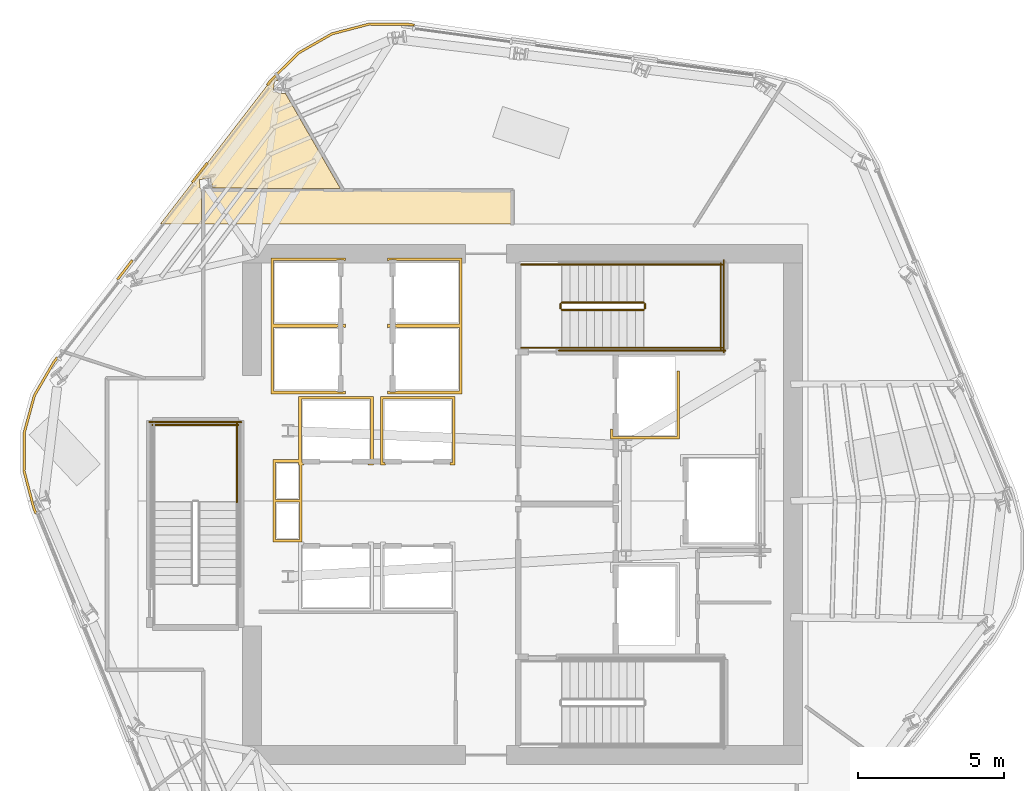
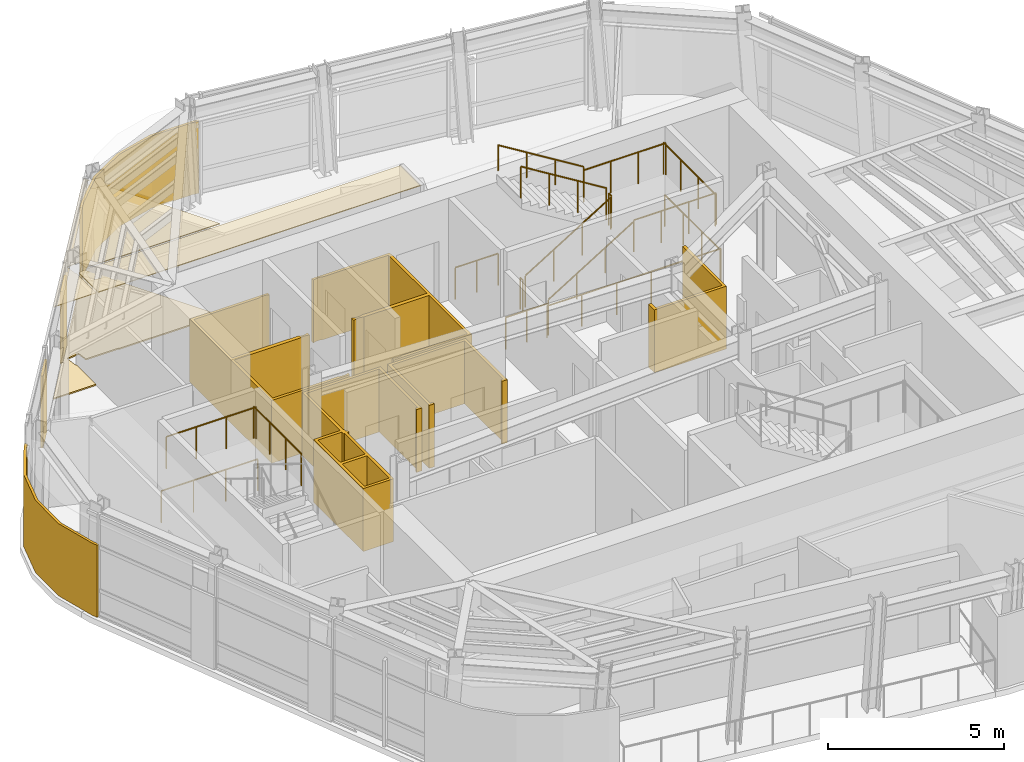
# One storey, part 10 of 12: 16 railings, 12 coverings.
"""IFC4 building model written with IfcOpenShell, lengths in metres."""

from ifc_helpers import new_model, si_unit, direction, frame, origin, origin_2d, place, context, subcontext, project, spatial, polyline, circle, outline, extrude, material, layer, layer_set, type_object, element, save


model = new_model("IFC4")

# Units and contexts
model_context = context("Model", 3, precision=1e-05, world=origin(), true_north=direction((0.0, 1.0)))
body_context = subcontext(model_context, "Body", "Model", "MODEL_VIEW")
ifc_project = project(units=[si_unit("LENGTHUNIT", "METRE"), si_unit("AREAUNIT", "SQUARE_METRE"), si_unit("VOLUMEUNIT", "CUBIC_METRE"), si_unit("PLANEANGLEUNIT", "RADIAN"), si_unit("MASSUNIT", "GRAM", prefix="KILO")], contexts=[model_context])

# Site, building, storey
site_placement = place(None, origin())
site = spatial("IfcSite", under=ifc_project, at=site_placement, CompositionType="ELEMENT")
building_placement = place(site_placement, origin())
building = spatial("IfcBuilding", under=site, at=building_placement, Name="Valkerne Bourse Tower", CompositionType="ELEMENT")
storey_placement = place(building_placement, frame((0.0, 0.0, 247.39990234375)))
storey = spatial("IfcBuildingStorey", under=building, at=storey_placement, Name="L63", CompositionType="ELEMENT", Elevation=247.39990234375)

# Coverings
ifc_material_1 = material(Name="Mineral Fiber Acoustic Ceiling Tile", Category="acoustic")
ifc_layer_1 = layer(ifc_material_1, 0.02490234375)
ifc_layer_set_1 = layer_set([ifc_layer_1], Name="Mineral Fiber Acoustic Ceiling Tile")
covering_type_1 = type_object("IfcCoveringType", Name="COV-CEIL-ACT", PredefinedType="CEILING", material=ifc_layer_set_1)
covering_1_placement = place(storey_placement, frame((0.0, 0.0, 3.190185546875)))
element("IfcCovering", 1, at=covering_1_placement, inside=storey, type_object=covering_type_1, Name="L63 Suspended Ceiling 07", PredefinedType="CEILING", context=body_context, shape_type="SweptSolid", body=[
    extrude(outline(polyline([(38.408203125, 41.416748046875), (38.299072265625, 41.431884765625), (38.296875, 41.4306640625), (38.24169921875, 41.020263671875), (38.6494140625, 40.964599609375), (38.6513671875, 40.9658203125), (38.654541015625, 40.990234375), (40.549072265625, 37.708984375), (37.248046875, 37.708984375), (37.22900390625, 37.72265625), (37.200439453125, 37.72900390625), (36.158203125, 37.72900390625), (36.11669921875, 38.067138671875), (35.708251953125, 38.017578125), (35.70654296875, 38.01611328125), (35.757080078125, 37.605224609375), (35.781005859375, 37.608154296875), (35.781005859375, 36.5), (34.378662109375, 36.5), (38.173828125, 41.426513671875), (38.319580078125, 41.570556640625), (38.408203125, 41.416748046875)])), origin(), (0.0, 0.0, 1.0), 0.02490234375),
])
ifc_material_2 = material(Name="Bronze Anodised Aluminium AA 6063-T6", Category="aluminium")
ifc_layer_2 = layer(ifc_material_2, 0.030029296875)
ifc_layer_set_2 = layer_set([ifc_layer_2], Name="Bronze Anodised Aluminium AA 6063-T6")
covering_type_2 = type_object("IfcCoveringType", Name="COV-CEIL-METAL", PredefinedType="CEILING", material=ifc_layer_set_2)
covering_2_placement = place(storey_placement, frame((0.0, 0.0, 3.190185546875)))
element("IfcCovering", 2, at=covering_2_placement, inside=storey, type_object=covering_type_2, Name="L63 Suspended Ceiling 03", PredefinedType="CEILING", context=body_context, shape_type="SweptSolid", body=[
    extrude(outline(polyline([(35.85400390625, 37.616943359375), (36.16552734375, 37.65478515625), (36.1669921875, 37.656005859375), (37.196044921875, 37.656005859375), (37.196044921875, 37.635986328125), (46.446044921875, 37.635986328125), (46.446044921875, 36.5), (35.85400390625, 36.5), (35.85400390625, 37.616943359375)])), origin(), (0.0, 0.0, 1.0), 0.02490234375),
])
ifc_layer_3 = layer(ifc_material_2, 0.06005859375)
ifc_layer_set_3 = layer_set([ifc_layer_3], Name="Bronze Anodised Aluminium AA 6063-T6")
covering_type_3 = type_object("IfcCoveringType", Name="COV-CRN-ALUM", PredefinedType="CLADDING", material=ifc_layer_set_3)
covering_3_placement = place(storey_placement, origin())
element("IfcCovering", 3, at=covering_3_placement, inside=storey, type_object=covering_type_3, Name="L63 Wind-Shaped Corner Aluminium Cladding 04", PredefinedType="CLADDING", context=body_context, shape_type="SweptSolid", body=[
    extrude(outline(polyline([(29.997802734375, 26.721923828125), (29.658447265625, 28.01611328125), (29.665283203125, 29.34716796875), (30.0166015625, 30.631103515625), (30.691650390625, 31.7861328125), (30.8095703125, 31.939208984375), (30.872802734375, 31.89013671875), (30.758056640625, 31.741455078125), (30.091064453125, 30.599853515625), (29.745361328125, 29.336181640625), (29.73828125, 28.026123046875), (30.073974609375, 26.747314453125), (30.144287109375, 26.5732421875), (30.0703125, 26.54296875), (29.997802734375, 26.721923828125)])), origin(), (0.0, 0.0, 1.0), 2.5),
])
covering_4_placement = place(storey_placement, origin())
element("IfcCovering", 4, at=covering_4_placement, inside=storey, type_object=covering_type_3, Name="L63 Wind-Shaped Corner Aluminium Cladding 05", PredefinedType="CLADDING", context=body_context, shape_type="SweptSolid", body=[
    extrude(outline(polyline([(33.380126953125, 35.27587890625), (33.443359375, 35.226806640625), (32.9306640625, 34.561279296875), (32.867431640625, 34.610595703125), (33.380126953125, 35.27587890625)])), origin(), (0.0, 0.0, 1.0), 2.5),
])
covering_5_placement = place(storey_placement, origin())
element("IfcCovering", 5, at=covering_5_placement, inside=storey, type_object=covering_type_3, Name="L63 Wind-Shaped Corner Aluminium Cladding 06", PredefinedType="CLADDING", context=body_context, shape_type="SweptSolid", body=[
    extrude(outline(polyline([(35.95068359375, 38.612548828125), (36.013916015625, 38.563720703125), (35.501220703125, 37.898193359375), (35.43798828125, 37.947021484375), (35.95068359375, 38.612548828125)])), origin(), (0.0, 0.0, 1.0), 2.5),
])
covering_6_placement = place(storey_placement, origin())
element("IfcCovering", 6, at=covering_6_placement, inside=storey, type_object=covering_type_3, Name="L63 Wind-Shaped Corner Aluminium Cladding 07", PredefinedType="CLADDING", context=body_context, shape_type="SweptSolid", body=[
    extrude(outline(polyline([(38.140625, 41.45556640625), (39.091552734375, 42.396484375), (40.247802734375, 43.055908203125), (41.53515625, 43.3935546875), (42.872802734375, 43.38671875), (43.087646484375, 43.3564453125), (43.07666015625, 43.277099609375), (42.8671875, 43.306640625), (41.54541015625, 43.313720703125), (40.2783203125, 42.981201171875), (39.140380859375, 42.33203125), (38.20068359375, 41.402587890625), (38.071533203125, 41.234619140625), (38.00830078125, 41.28369140625), (38.140625, 41.45556640625)])), origin(), (0.0, 0.0, 1.0), 2.5),
])
ifc_material_3 = material(Name="Galvanised Painted Steel", Category="steel")
ifc_layer_4 = layer(ifc_material_3, 0.044921875)
ifc_layer_set_4 = layer_set([ifc_layer_4], Name="Galvanised Painted Steel")
covering_type_4 = type_object("IfcCoveringType", Name="COV-FLR-RAF", PredefinedType="FLOORING", material=ifc_layer_set_4)
covering_7_placement = place(storey_placement, origin())
element("IfcCovering", 7, at=covering_7_placement, inside=storey, type_object=covering_type_4, Name="L63 Floor Finish 07", PredefinedType="FLOORING", context=body_context, shape_type="SweptSolid", body=[
    extrude(outline(polyline([(38.408203125, 41.416748046875), (38.299072265625, 41.431884765625), (38.296875, 41.4306640625), (38.24169921875, 41.020263671875), (38.6494140625, 40.964599609375), (38.6513671875, 40.9658203125), (38.654541015625, 40.990234375), (40.549072265625, 37.708984375), (37.248046875, 37.708984375), (37.22900390625, 37.72265625), (37.200439453125, 37.72900390625), (36.158203125, 37.72900390625), (36.11669921875, 38.067138671875), (35.708251953125, 38.017578125), (35.70654296875, 38.01611328125), (35.757080078125, 37.605224609375), (35.781005859375, 37.608154296875), (35.781005859375, 36.5), (34.378662109375, 36.5), (38.173828125, 41.426513671875), (38.319580078125, 41.570556640625), (38.408203125, 41.416748046875)])), origin(), (0.0, 0.0, 1.0), 0.045166015625),
])
ifc_material_4 = material(Name="Gypsum Shaftwall Liner Board", Category="gypsum")
ifc_layer_5 = layer(ifc_material_4, 0.080078125)
ifc_layer_set_5 = layer_set([ifc_layer_5], Name="Gypsum Shaftwall Liner Board")
covering_type_5 = type_object("IfcCoveringType", Name="COV-SHF-CLAD", PredefinedType="CLADDING", material=ifc_layer_set_5)
covering_8_placement = place(storey_placement, origin())
element("IfcCovering", 8, at=covering_8_placement, inside=storey, type_object=covering_type_5, Name="L63 Hoistway & Riser Shaftwall Liner 03", PredefinedType="CLADDING", context=body_context, shape_type="SweptSolid", body=[
    extrude(outline(polyline([(38.239990234375, 28.409912109375), (39.1201171875, 28.409912109375), (39.1201171875, 30.580078125), (41.679931640625, 30.580078125), (41.679931640625, 28.219970703125), (41.500732421875, 28.219970703125), (41.511474609375, 28.26220703125), (41.517822265625, 28.305908203125), (41.51806640625, 28.31005859375), (41.590087890625, 28.31005859375), (41.590087890625, 30.489990234375), (39.2099609375, 30.489990234375), (39.2099609375, 28.409912109375), (39.239990234375, 28.409912109375), (39.239990234375, 28.31005859375), (39.281982421875, 28.31005859375), (39.2822265625, 28.305908203125), (39.28857421875, 28.26220703125), (39.29931640625, 28.219970703125), (39.239990234375, 28.219970703125), (39.239990234375, 27.0400390625), (39.239990234375, 26.9599609375), (39.239990234375, 25.590087890625), (38.239990234375, 25.590087890625), (38.239990234375, 26.9599609375), (38.239990234375, 27.0400390625), (38.239990234375, 28.409912109375)]), holes=[polyline([(38.330078125, 26.949951171875), (38.330078125, 25.679931640625), (39.14990234375, 25.679931640625), (39.14990234375, 26.949951171875), (38.330078125, 26.949951171875)]), polyline([(38.330078125, 27.050048828125), (39.14990234375, 27.050048828125), (39.14990234375, 28.219970703125), (39.1201171875, 28.219970703125), (39.1201171875, 28.320068359375), (38.330078125, 28.320068359375), (38.330078125, 27.050048828125)])]), origin(), (0.0, 0.0, 1.0), 2.18017578125),
])
covering_9_placement = place(storey_placement, origin())
element("IfcCovering", 9, at=covering_9_placement, inside=storey, type_object=covering_type_5, Name="L63 Hoistway & Riser Shaftwall Liner 04", PredefinedType="CLADDING", context=body_context, shape_type="SweptSolid", body=[
    extrude(outline(polyline([(38.169921875, 35.330078125), (40.72998046875, 35.330078125), (40.72998046875, 35.232177734375), (40.72216796875, 35.235595703125), (40.6806640625, 35.25048828125), (40.6376953125, 35.261474609375), (40.593994140625, 35.267822265625), (40.550048828125, 35.27001953125), (40.505859375, 35.267822265625), (40.462158203125, 35.261474609375), (40.41943359375, 35.25048828125), (40.3896484375, 35.239990234375), (38.260009765625, 35.239990234375), (38.260009765625, 33.06005859375), (40.3896484375, 33.06005859375), (40.41943359375, 33.04931640625), (40.462158203125, 33.03857421875), (40.505859375, 33.0322265625), (40.550048828125, 33.030029296875), (40.593994140625, 33.0322265625), (40.6376953125, 33.03857421875), (40.6806640625, 33.04931640625), (40.72216796875, 33.064208984375), (40.72998046875, 33.06787109375), (40.72998046875, 33.030029296875), (40.72998046875, 32.969970703125), (40.72998046875, 32.93212890625), (40.72216796875, 32.935791015625), (40.6806640625, 32.95068359375), (40.6376953125, 32.96142578125), (40.593994140625, 32.9677734375), (40.550048828125, 32.969970703125), (40.505859375, 32.9677734375), (40.462158203125, 32.96142578125), (40.41943359375, 32.95068359375), (40.3896484375, 32.93994140625), (38.260009765625, 32.93994140625), (38.260009765625, 30.760009765625), (40.3896484375, 30.760009765625), (40.41943359375, 30.74951171875), (40.462158203125, 30.738525390625), (40.505859375, 30.732177734375), (40.550048828125, 30.72998046875), (40.593994140625, 30.732177734375), (40.6376953125, 30.738525390625), (40.6806640625, 30.74951171875), (40.72216796875, 30.764404296875), (40.72998046875, 30.767822265625), (40.72998046875, 30.669921875), (38.169921875, 30.669921875), (38.169921875, 32.969970703125), (38.169921875, 33.030029296875), (38.169921875, 35.330078125)])), origin(), (0.0, 0.0, 1.0), 2.18017578125),
])
covering_10_placement = place(storey_placement, origin())
element("IfcCovering", 10, at=covering_10_placement, inside=storey, type_object=covering_type_5, Name="L63 Hoistway & Riser Shaftwall Liner 07", PredefinedType="CLADDING", context=body_context, shape_type="SweptSolid", body=[
    extrude(outline(polyline([(44.47998046875, 28.219970703125), (44.30078125, 28.219970703125), (44.311279296875, 28.26220703125), (44.31787109375, 28.305908203125), (44.318115234375, 28.31005859375), (44.389892578125, 28.31005859375), (44.389892578125, 30.489990234375), (42.010009765625, 30.489990234375), (42.010009765625, 28.31005859375), (42.08203125, 28.31005859375), (42.082275390625, 28.305908203125), (42.088623046875, 28.26220703125), (42.09912109375, 28.219970703125), (41.919921875, 28.219970703125), (41.919921875, 30.580078125), (44.47998046875, 30.580078125), (44.47998046875, 28.219970703125)])), origin(), (0.0, 0.0, 1.0), 2.18017578125),
])
covering_11_placement = place(storey_placement, origin())
element("IfcCovering", 11, at=covering_11_placement, inside=storey, type_object=covering_type_5, Name="L63 Hoistway & Riser Shaftwall Liner 08", PredefinedType="CLADDING", context=body_context, shape_type="SweptSolid", body=[
    extrude(outline(polyline([(49.820068359375, 29.1201171875), (49.820068359375, 29.468017578125), (49.827880859375, 29.46435546875), (49.869384765625, 29.449462890625), (49.909912109375, 29.439208984375), (49.909912109375, 29.2099609375), (52.090087890625, 29.2099609375), (52.090087890625, 31.449951171875), (52.179931640625, 31.449951171875), (52.179931640625, 29.1201171875), (49.820068359375, 29.1201171875)])), origin(), (0.0, 0.0, 1.0), 2.18017578125),
])
covering_12_placement = place(storey_placement, origin())
element("IfcCovering", 12, at=covering_12_placement, inside=storey, type_object=covering_type_5, Name="L63 Hoistway & Riser Shaftwall Liner 09", PredefinedType="CLADDING", context=body_context, shape_type="SweptSolid", body=[
    extrude(outline(polyline([(42.169921875, 33.06787109375), (42.177734375, 33.064208984375), (42.219482421875, 33.04931640625), (42.26220703125, 33.03857421875), (42.305908203125, 33.0322265625), (42.35009765625, 33.030029296875), (42.39404296875, 33.0322265625), (42.437744140625, 33.03857421875), (42.480712890625, 33.04931640625), (42.51025390625, 33.06005859375), (44.639892578125, 33.06005859375), (44.639892578125, 35.239990234375), (42.51025390625, 35.239990234375), (42.480712890625, 35.25048828125), (42.437744140625, 35.261474609375), (42.39404296875, 35.267822265625), (42.35009765625, 35.27001953125), (42.305908203125, 35.267822265625), (42.26220703125, 35.261474609375), (42.219482421875, 35.25048828125), (42.177734375, 35.235595703125), (42.169921875, 35.232177734375), (42.169921875, 35.330078125), (44.72998046875, 35.330078125), (44.72998046875, 33.030029296875), (44.72998046875, 32.969970703125), (44.72998046875, 30.669921875), (42.169921875, 30.669921875), (42.169921875, 30.767822265625), (42.177734375, 30.764404296875), (42.219482421875, 30.74951171875), (42.26220703125, 30.738525390625), (42.305908203125, 30.732177734375), (42.35009765625, 30.72998046875), (42.39404296875, 30.732177734375), (42.437744140625, 30.738525390625), (42.480712890625, 30.74951171875), (42.51025390625, 30.760009765625), (44.639892578125, 30.760009765625), (44.639892578125, 32.93994140625), (42.51025390625, 32.93994140625), (42.480712890625, 32.95068359375), (42.437744140625, 32.96142578125), (42.39404296875, 32.9677734375), (42.35009765625, 32.969970703125), (42.305908203125, 32.9677734375), (42.26220703125, 32.96142578125), (42.219482421875, 32.95068359375), (42.177734375, 32.935791015625), (42.169921875, 32.93212890625), (42.169921875, 32.969970703125), (42.169921875, 33.030029296875), (42.169921875, 33.06787109375)])), origin(), (0.0, 0.0, 1.0), 2.18017578125),
])

# Railings
railing_type_1 = type_object("IfcRailingType", Name="RLG-ST-GUARD-1120", PredefinedType="GUARDRAIL", material=ifc_material_3)
railing_1_placement = place(storey_placement, frame((48.14990234375, 33.550048828125, 0.1728515625)))
element("IfcRailing", 13, at=railing_1_placement, inside=storey, type_object=railing_type_1, Name="L63 ST-2 stair guard 1", PredefinedType="GUARDRAIL", context=body_context, shape_type="SweptSolid", body=[
    extrude(circle(Radius=0.02392578125, at=origin_2d()), frame((0.0, 0.0, 1.09619140625), z_axis=(0.851089632645, 0.0, 0.525020415988), x_axis=(0.0, 1.0, 0.0)), (0.0, 0.0, 1.0), 3.2900390625),
    extrude(circle(Radius=0.02099609375, at=origin_2d()), origin(), (0.0, 0.0, 1.0), 1.072021484375),
    extrude(circle(Radius=0.02099609375, at=origin_2d()), frame((0.933349609375, 0.0, 0.57568359375)), (0.0, 0.0, 1.0), 1.072021484375),
    extrude(circle(Radius=0.02099609375, at=origin_2d()), frame((1.86669921875, 0.0, 1.151611328125)), (0.0, 0.0, 1.0), 1.072021484375),
    extrude(circle(Radius=0.02099609375, at=origin_2d()), frame((2.800048828125, 0.0, 1.727294921875)), (0.0, 0.0, 1.0), 1.072021484375),
])
railing_2_placement = place(storey_placement, frame((51.0, 33.60009765625, 1.900146484375)))
element("IfcRailing", 14, at=railing_2_placement, inside=storey, type_object=railing_type_1, Name="L63 ST-2 stair guard 2", PredefinedType="GUARDRAIL", context=body_context, shape_type="SweptSolid", body=[
    extrude(circle(Radius=0.02392578125, at=origin_2d()), frame((0.0, 0.0, 1.09619140625), z_axis=(0.0, 1.0, 0.0), x_axis=(-1.0, 0.0, 0.0)), (0.0, 0.0, 1.0), 0.14990234375),
    extrude(circle(Radius=0.02099609375, at=origin_2d()), origin(), (0.0, 0.0, 1.0), 1.072021484375),
    extrude(circle(Radius=0.02099609375, at=origin_2d()), frame((0.0, 0.14990234375, 0.0)), (0.0, 0.0, 1.0), 1.072021484375),
])
for number, where, name in (
    (15, (50.949951171875, 32.25, 1.900146484375), "L63 ST-2 stair guard 3"),
    (16, (50.949951171875, 35.10009765625, 1.900146484375), "L63 ST-2 stair guard 4"),
):
    element("IfcRailing", number, at=place(storey_placement, frame(where)), inside=storey, type_object=railing_type_1, Name=name, PredefinedType="GUARDRAIL", context=body_context, shape_type="SweptSolid", body=[
        extrude(circle(Radius=0.02392578125, at=origin_2d()), frame((0.0, 0.0, 1.09619140625), z_axis=(1.0, 0.0, 0.0), x_axis=(0.0, 1.0, 0.0)), (0.0, 0.0, 1.0), 2.699951171875),
        extrude(circle(Radius=0.02099609375, at=origin_2d()), origin(), (0.0, 0.0, 1.0), 1.072021484375),
        extrude(circle(Radius=0.02099609375, at=origin_2d()), frame((0.89990234375, 0.0, 0.0)), (0.0, 0.0, 1.0), 1.072021484375),
        extrude(circle(Radius=0.02099609375, at=origin_2d()), frame((1.800048828125, 0.0, 0.0)), (0.0, 0.0, 1.0), 1.072021484375),
        extrude(circle(Radius=0.02099609375, at=origin_2d()), frame((2.699951171875, 0.0, 0.0)), (0.0, 0.0, 1.0), 1.072021484375),
    ])
railing_3_placement = place(storey_placement, frame((53.60009765625, 32.199951171875, 1.900146484375)))
element("IfcRailing", 17, at=railing_3_placement, inside=storey, type_object=railing_type_1, Name="L63 ST-2 stair guard 5", PredefinedType="GUARDRAIL", context=body_context, shape_type="SweptSolid", body=[
    extrude(circle(Radius=0.02392578125, at=origin_2d()), frame((0.0, 0.0, 1.09619140625), z_axis=(0.0, 1.0, 0.0), x_axis=(-1.0, 0.0, 0.0)), (0.0, 0.0, 1.0), 2.949951171875),
    extrude(circle(Radius=0.02099609375, at=origin_2d()), origin(), (0.0, 0.0, 1.0), 1.072021484375),
    extrude(circle(Radius=0.02099609375, at=origin_2d()), frame((0.0, 0.9833984375, 0.0)), (0.0, 0.0, 1.0), 1.072021484375),
    extrude(circle(Radius=0.02099609375, at=origin_2d()), frame((0.0, 1.966552734375, 0.0)), (0.0, 0.0, 1.0), 1.072021484375),
    extrude(circle(Radius=0.02099609375, at=origin_2d()), frame((0.0, 2.949951171875, 0.0)), (0.0, 0.0, 1.0), 1.072021484375),
])
railing_4_placement = place(storey_placement, frame((50.949951171875, 33.800048828125, 2.07275390625)))
element("IfcRailing", 18, at=railing_4_placement, inside=storey, type_object=railing_type_1, Name="L63 ST-2 stair guard 6", PredefinedType="GUARDRAIL", context=body_context, shape_type="SweptSolid", body=[
    extrude(circle(Radius=0.02392578125, at=origin_2d()), frame((0.0, 0.0, 1.09619140625), z_axis=(-0.851089632645, 0.0, 0.525020415988), x_axis=(0.0, -1.0, 0.0)), (0.0, 0.0, 1.0), 3.2900390625),
    extrude(circle(Radius=0.02099609375, at=origin_2d()), origin(), (0.0, 0.0, 1.0), 1.072021484375),
    extrude(circle(Radius=0.02099609375, at=origin_2d()), frame((-0.933349609375, 0.0, 0.57568359375)), (0.0, 0.0, 1.0), 1.072021484375),
    extrude(circle(Radius=0.02099609375, at=origin_2d()), frame((-1.86669921875, 0.0, 1.151611328125)), (0.0, 0.0, 1.0), 1.072021484375),
    extrude(circle(Radius=0.02099609375, at=origin_2d()), frame((-2.800048828125, 0.0, 1.727294921875)), (0.0, 0.0, 1.0), 1.072021484375),
])
railing_5_placement = place(storey_placement, frame((48.10009765625, 33.60009765625, 0.0)))
element("IfcRailing", 19, at=railing_5_placement, inside=storey, type_object=railing_type_1, Name="L63 ST-2 stair guard 7", PredefinedType="GUARDRAIL", context=body_context, shape_type="SweptSolid", body=[
    extrude(circle(Radius=0.02392578125, at=origin_2d()), frame((0.0, 0.0, 1.09619140625), z_axis=(0.0, 1.0, 0.0), x_axis=(-1.0, 0.0, 0.0)), (0.0, 0.0, 1.0), 0.14990234375),
    extrude(circle(Radius=0.02099609375, at=origin_2d()), origin(), (0.0, 0.0, 1.0), 1.072021484375),
    extrude(circle(Radius=0.02099609375, at=origin_2d()), frame((0.0, 0.14990234375, 0.0)), (0.0, 0.0, 1.0), 1.072021484375),
])
for number, where, name in (
    (20, (46.75, 32.25, 0.0), "L63 ST-2 stair guard 8"),
    (21, (46.75, 35.10009765625, 0.0), "L63 ST-2 stair guard 9"),
):
    element("IfcRailing", number, at=place(storey_placement, frame(where)), inside=storey, type_object=railing_type_1, Name=name, PredefinedType="GUARDRAIL", context=body_context, shape_type="SweptSolid", body=[
        extrude(circle(Radius=0.02392578125, at=origin_2d()), frame((0.0, 0.0, 1.09619140625), z_axis=(1.0, 0.0, 0.0), x_axis=(0.0, 1.0, 0.0)), (0.0, 0.0, 1.0), 1.39990234375),
        extrude(circle(Radius=0.02099609375, at=origin_2d()), origin(), (0.0, 0.0, 1.0), 1.072021484375),
        extrude(circle(Radius=0.02099609375, at=origin_2d()), frame((0.699951171875, 0.0, 0.0)), (0.0, 0.0, 1.0), 1.072021484375),
        extrude(circle(Radius=0.02099609375, at=origin_2d()), frame((1.39990234375, 0.0, 0.0)), (0.0, 0.0, 1.0), 1.072021484375),
    ])
railing_6_placement = place(storey_placement, frame((48.050048828125, 32.14990234375, 0.0)))
element("IfcRailing", 22, at=railing_6_placement, inside=storey, type_object=railing_type_1, Name="L63 ST-2 stair guard 10", PredefinedType="GUARDRAIL", context=body_context, shape_type="SweptSolid", body=[
    extrude(circle(Radius=0.02392578125, at=origin_2d()), frame((0.0, 0.0, 1.09619140625), z_axis=(1.0, 0.0, 0.0), x_axis=(0.0, 1.0, 0.0)), (0.0, 0.0, 1.0), 5.699951171875),
    extrude(circle(Radius=0.02099609375, at=origin_2d()), origin(), (0.0, 0.0, 1.0), 1.072021484375),
    extrude(circle(Radius=0.02099609375, at=origin_2d()), frame((1.139892578125, 0.0, 0.0)), (0.0, 0.0, 1.0), 1.072021484375),
    extrude(circle(Radius=0.02099609375, at=origin_2d()), frame((2.280029296875, 0.0, 0.0)), (0.0, 0.0, 1.0), 1.072021484375),
    extrude(circle(Radius=0.02099609375, at=origin_2d()), frame((3.419921875, 0.0, 0.0)), (0.0, 0.0, 1.0), 1.072021484375),
    extrude(circle(Radius=0.02099609375, at=origin_2d()), frame((4.56005859375, 0.0, 0.0)), (0.0, 0.0, 1.0), 1.072021484375),
    extrude(circle(Radius=0.02099609375, at=origin_2d()), frame((5.699951171875, 0.0, 0.0)), (0.0, 0.0, 1.0), 1.072021484375),
])
railing_7_placement = place(storey_placement, frame((53.699951171875, 32.10009765625, 0.0)))
element("IfcRailing", 23, at=railing_7_placement, inside=storey, type_object=railing_type_1, Name="L63 ST-2 stair guard 12", PredefinedType="GUARDRAIL", context=body_context, shape_type="SweptSolid", body=[
    extrude(circle(Radius=0.02392578125, at=origin_2d()), frame((0.0, 0.0, 1.09619140625), z_axis=(0.0, 1.0, 0.0), x_axis=(-1.0, 0.0, 0.0)), (0.0, 0.0, 1.0), 3.14990234375),
    extrude(circle(Radius=0.02099609375, at=origin_2d()), origin(), (0.0, 0.0, 1.0), 1.072021484375),
    extrude(circle(Radius=0.02099609375, at=origin_2d()), frame((0.0, 1.050048828125, 0.0)), (0.0, 0.0, 1.0), 1.072021484375),
    extrude(circle(Radius=0.02099609375, at=origin_2d()), frame((0.0, 2.099853515625, 0.0)), (0.0, 0.0, 1.0), 1.072021484375),
    extrude(circle(Radius=0.02099609375, at=origin_2d()), frame((0.0, 3.14990234375, 0.0)), (0.0, 0.0, 1.0), 1.072021484375),
])
railing_8_placement = place(storey_placement, frame((37.0, 26.949951171875, 1.900146484375)))
element("IfcRailing", 24, at=railing_8_placement, inside=storey, type_object=railing_type_1, Name="L63 ST-3 stair guard 3", PredefinedType="GUARDRAIL", context=body_context, shape_type="SweptSolid", body=[
    extrude(circle(Radius=0.02392578125, at=origin_2d()), frame((0.0, 0.0, 1.09619140625), z_axis=(0.0, 1.0, 0.0), x_axis=(-1.0, 0.0, 0.0)), (0.0, 0.0, 1.0), 2.699951171875),
    extrude(circle(Radius=0.02099609375, at=origin_2d()), origin(), (0.0, 0.0, 1.0), 1.072021484375),
    extrude(circle(Radius=0.02099609375, at=origin_2d()), frame((0.0, 0.89990234375, 0.0)), (0.0, 0.0, 1.0), 1.072021484375),
    extrude(circle(Radius=0.02099609375, at=origin_2d()), frame((0.0, 1.800048828125, 0.0)), (0.0, 0.0, 1.0), 1.072021484375),
    extrude(circle(Radius=0.02099609375, at=origin_2d()), frame((0.0, 2.699951171875, 0.0)), (0.0, 0.0, 1.0), 1.072021484375),
])
railing_9_placement = place(storey_placement, frame((37.050048828125, 29.60009765625, 1.900146484375)))
element("IfcRailing", 25, at=railing_9_placement, inside=storey, type_object=railing_type_1, Name="L63 ST-3 stair guard 5", PredefinedType="GUARDRAIL", context=body_context, shape_type="SweptSolid", body=[
    extrude(circle(Radius=0.02392578125, at=origin_2d()), frame((0.0, 0.0, 1.09619140625), z_axis=(-1.0, 0.0, 0.0), x_axis=(0.0, -1.0, 0.0)), (0.0, 0.0, 1.0), 2.949951171875),
    extrude(circle(Radius=0.02099609375, at=origin_2d()), origin(), (0.0, 0.0, 1.0), 1.072021484375),
    extrude(circle(Radius=0.02099609375, at=origin_2d()), frame((-0.9833984375, 0.0, 0.0)), (0.0, 0.0, 1.0), 1.072021484375),
    extrude(circle(Radius=0.02099609375, at=origin_2d()), frame((-1.966552734375, 0.0, 0.0)), (0.0, 0.0, 1.0), 1.072021484375),
    extrude(circle(Radius=0.02099609375, at=origin_2d()), frame((-2.949951171875, 0.0, 0.0)), (0.0, 0.0, 1.0), 1.072021484375),
])
railing_10_placement = place(storey_placement, frame((37.14990234375, 29.699951171875, 0.0)))
element("IfcRailing", 26, at=railing_10_placement, inside=storey, type_object=railing_type_1, Name="L63 ST-3 stair guard 12", PredefinedType="GUARDRAIL", context=body_context, shape_type="SweptSolid", body=[
    extrude(circle(Radius=0.02392578125, at=origin_2d()), frame((0.0, 0.0, 1.09619140625), z_axis=(-1.0, 0.0, 0.0), x_axis=(0.0, -1.0, 0.0)), (0.0, 0.0, 1.0), 3.14990234375),
    extrude(circle(Radius=0.02099609375, at=origin_2d()), origin(), (0.0, 0.0, 1.0), 1.072021484375),
    extrude(circle(Radius=0.02099609375, at=origin_2d()), frame((-1.050048828125, 0.0, 0.0)), (0.0, 0.0, 1.0), 1.072021484375),
    extrude(circle(Radius=0.02099609375, at=origin_2d()), frame((-2.099853515625, 0.0, 0.0)), (0.0, 0.0, 1.0), 1.072021484375),
    extrude(circle(Radius=0.02099609375, at=origin_2d()), frame((-3.14990234375, 0.0, 0.0)), (0.0, 0.0, 1.0), 1.072021484375),
])
ifc_material_5 = material(Name="Stainless Steel AISI 316", Category="steel")
railing_type_2 = type_object("IfcRailingType", Name="RLG-ST-HANDRAIL-900", PredefinedType="HANDRAIL", material=ifc_material_5)
railing_11_placement = place(storey_placement, frame((48.14990234375, 32.25, 0.345458984375)))
element("IfcRailing", 27, at=railing_11_placement, inside=storey, type_object=railing_type_2, Name="L63 ST-2 stair handrail 1", PredefinedType="HANDRAIL", context=body_context, shape_type="SweptSolid", body=[
    extrude(circle(Radius=0.02392578125, at=origin_2d()), frame((0.0, 0.0, 0.8759765625), z_axis=(0.851089632645, 0.0, 0.525020415988), x_axis=(0.0, 1.0, 0.0)), (0.0, 0.0, 1.0), 3.2900390625),
    extrude(circle(Radius=0.02099609375, at=origin_2d()), origin(), (0.0, 0.0, 1.0), 0.851806640625),
    extrude(circle(Radius=0.02099609375, at=origin_2d()), frame((0.933349609375, 0.0, 0.57568359375)), (0.0, 0.0, 1.0), 0.851806640625),
    extrude(circle(Radius=0.02099609375, at=origin_2d()), frame((1.86669921875, 0.0, 1.151611328125)), (0.0, 0.0, 1.0), 0.851806640625),
    extrude(circle(Radius=0.02099609375, at=origin_2d()), frame((2.800048828125, 0.0, 1.727294921875)), (0.0, 0.0, 1.0), 0.851806640625),
])
railing_12_placement = place(storey_placement, frame((50.949951171875, 35.10009765625, 2.24560546875)))
element("IfcRailing", 28, at=railing_12_placement, inside=storey, type_object=railing_type_2, Name="L63 ST-2 stair handrail 2", PredefinedType="HANDRAIL", context=body_context, shape_type="SweptSolid", body=[
    extrude(circle(Radius=0.02392578125, at=origin_2d()), frame((0.0, 0.0, 0.8759765625), z_axis=(-0.851089632645, 0.0, 0.525020415988), x_axis=(0.0, -1.0, 0.0)), (0.0, 0.0, 1.0), 3.2900390625),
    extrude(circle(Radius=0.02099609375, at=origin_2d()), origin(), (0.0, 0.0, 1.0), 0.851806640625),
    extrude(circle(Radius=0.02099609375, at=origin_2d()), frame((-0.933349609375, 0.0, 0.57568359375)), (0.0, 0.0, 1.0), 0.851806640625),
    extrude(circle(Radius=0.02099609375, at=origin_2d()), frame((-1.86669921875, 0.0, 1.151611328125)), (0.0, 0.0, 1.0), 0.851806640625),
    extrude(circle(Radius=0.02099609375, at=origin_2d()), frame((-2.800048828125, 0.0, 1.727294921875)), (0.0, 0.0, 1.0), 0.851806640625),
])

save(model, "model.ifc")
